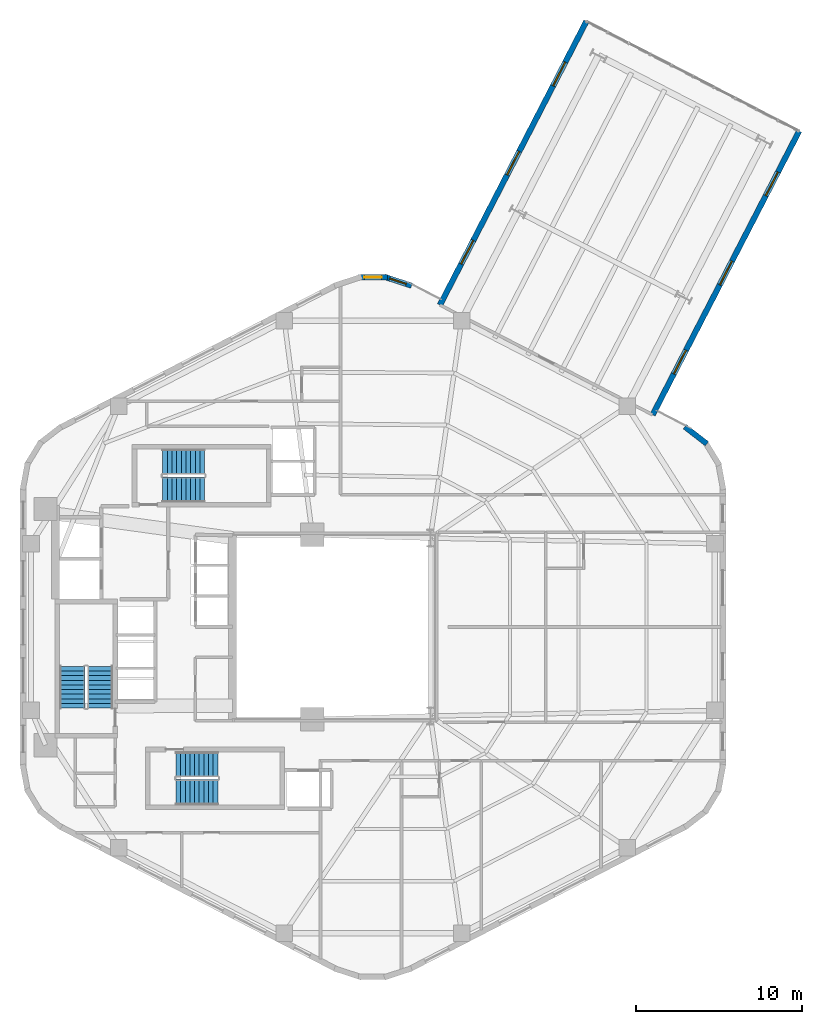
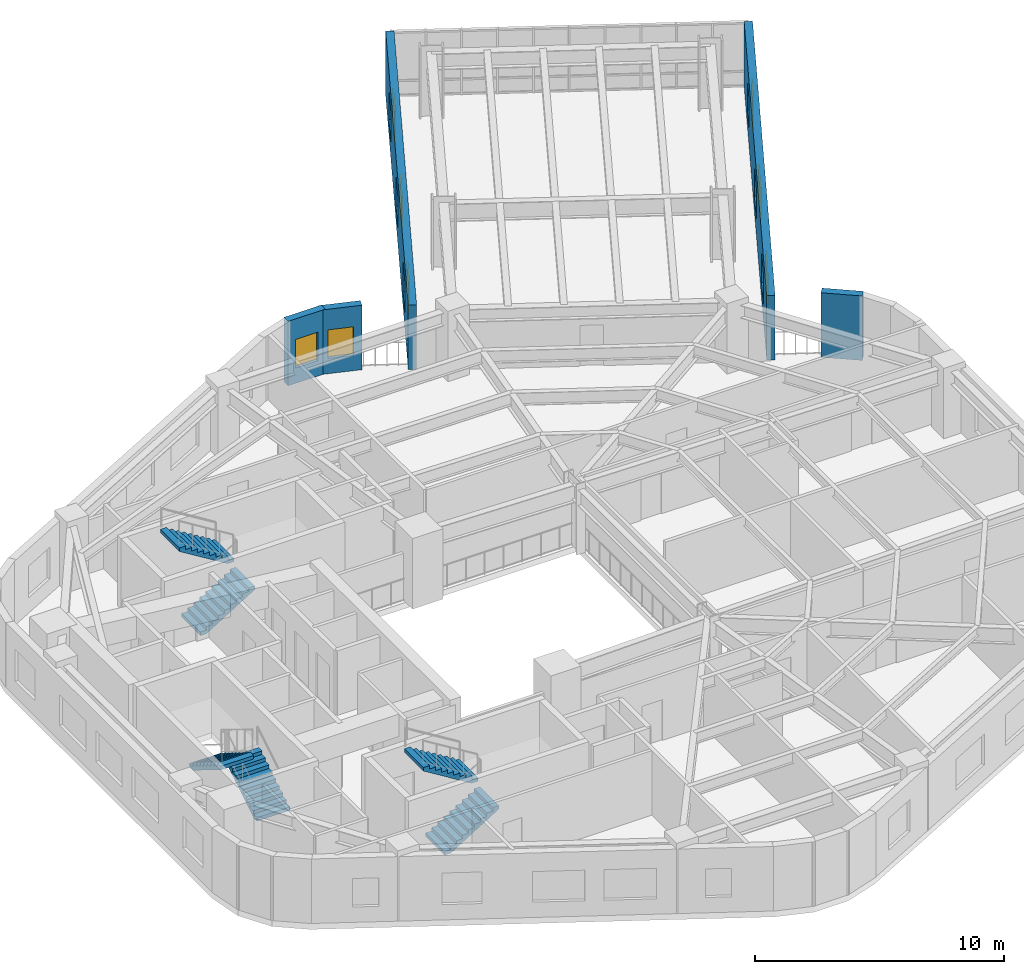
# One storey, part 8 of 10: 8 windows, 6 stair flights, 5 walls, 8 openings, 3 elements without a shape of their own.
"""IFC4 building model written with IfcOpenShell, lengths in metres."""

from ifc_helpers import new_model, si_unit, direction, frame, frame_2d, origin, place, context, subcontext, project, spatial, polyline, rectangle, outline, extrude, material, layer, layer_set, type_object, element, fill, aggregate, save


model = new_model("IFC4")

# Units and contexts
model_context = context("Model", 3, precision=1e-05, world=origin(), true_north=direction((0.0, 1.0)))
body_context = subcontext(model_context, "Body", "Model", "MODEL_VIEW")
ifc_project = project(units=[si_unit("LENGTHUNIT", "METRE"), si_unit("AREAUNIT", "SQUARE_METRE"), si_unit("VOLUMEUNIT", "CUBIC_METRE"), si_unit("PLANEANGLEUNIT", "RADIAN"), si_unit("MASSUNIT", "GRAM", prefix="KILO"), si_unit("THERMODYNAMICTEMPERATUREUNIT", "KELVIN"), si_unit("POWERUNIT", "WATT")], contexts=[model_context])

# Site, building, storey
site_placement = place(None, origin())
site = spatial("IfcSite", under=ifc_project, at=site_placement, CompositionType="ELEMENT")
building_placement = place(site_placement, origin())
building = spatial("IfcBuilding", under=site, at=building_placement, Name="Skarre Station Tower", CompositionType="ELEMENT")
storey_placement = place(building_placement, frame((0.0, 0.0, 111.89990234375)))
storey = spatial("IfcBuildingStorey", under=building, at=storey_placement, Name="L29", CompositionType="ELEMENT", Elevation=111.89990234375)

# Wall, openings, windows
ifc_material_1 = material(Name="Precast concrete C45/55", Category="concrete")
ifc_layer_1 = layer(ifc_material_1, 0.340087890625, Name="Precast concrete C45/55")
ifc_layer_set_1 = layer_set([ifc_layer_1], Name="Precast concrete C45/55")
wall_type_1 = type_object("IfcWallType", Name="Nordic Honed Precast Facet Wall 340", PredefinedType="STANDARD", material=ifc_layer_set_1)
wall_1_placement = place(storey_placement, frame((61.6298828125, 53.827880859375, 0.0), z_axis=(0.0, 0.0, 1.0), x_axis=(-0.458697010696, -0.888592737073, 0.0)))
wall_1 = element("IfcWall", 1, at=wall_1_placement, inside=storey, type_object=wall_type_1, Name="L29 SB-2 Side 1 Precast Wall", PredefinedType="STANDARD", context=body_context, shape_type="SweptSolid", body=[
    extrude(rectangle(XDim=19.19970703125, YDim=0.340087890625, at=frame_2d((9.599853515625, 0.0))), origin(), (0.0, 0.0, 1.0), 3.16015625),
])
opening_1_placement = place(wall_1_placement, frame((2.76708984375, 0.0, 0.75)))
opening_1 = element("IfcOpeningElement", 2, at=opening_1_placement, cuts=wall_1, Name="Opening WN-Z2A", PredefinedType="OPENING", context=body_context, shape_type="SweptSolid", body=[
    extrude(rectangle(XDim=1.60009765625, YDim=1.550048828125, at=frame_2d((0.800048828125, 0.77490234375))), frame((0.0, 0.179931640625, 0.0), z_axis=(0.0, -1.0, 0.0), x_axis=(1.0, 0.0, 0.0)), (0.0, 0.0, 1.0), 0.360107421875),
])
opening_2_placement = place(wall_1_placement, frame((8.800048828125, 0.0, 0.75)))
opening_2 = element("IfcOpeningElement", 3, at=opening_2_placement, cuts=wall_1, Name="Opening WN-Z2A", PredefinedType="OPENING", context=body_context, shape_type="SweptSolid", body=[
    extrude(rectangle(XDim=1.60009765625, YDim=1.550048828125, at=frame_2d((0.800048828125, 0.77490234375))), frame((0.0, 0.179931640625, 0.0), z_axis=(0.0, -1.0, 0.0), x_axis=(1.0, 0.0, 0.0)), (0.0, 0.0, 1.0), 0.360107421875),
])
opening_3_placement = place(wall_1_placement, frame((14.8330078125, 0.0, 0.75)))
opening_3 = element("IfcOpeningElement", 4, at=opening_3_placement, cuts=wall_1, Name="Opening WN-Z2A", PredefinedType="OPENING", context=body_context, shape_type="SweptSolid", body=[
    extrude(rectangle(XDim=1.60009765625, YDim=1.550048828125, at=frame_2d((0.800048828125, 0.77490234375))), frame((0.0, 0.179931640625, 0.0), z_axis=(0.0, -1.0, 0.0), x_axis=(1.0, 0.0, 0.0)), (0.0, 0.0, 1.0), 0.360107421875),
])
ifc_material_2 = material(Name="Low-Iron Triple Glazing with Bronze Anodized Frame", Category="glass")
window_type_1 = type_object("IfcWindowType", Name="Nordic Residential Tall Window 1600x1550", PartitioningType="SINGLE_PANEL", PredefinedType="WINDOW", material=ifc_material_2)
window_1_placement = place(opening_1_placement, origin())
window_1 = element("IfcWindow", 5, at=window_1_placement, inside=storey, type_object=window_type_1, Name="L29 Facade Window WL-SB-2-L29-S1-1", OverallHeight=1.550048828125, OverallWidth=1.60009765625, PartitioningType="SINGLE_PANEL", PredefinedType="WINDOW", context=body_context, shape_type="SweptSolid", body=[
    extrude(rectangle(XDim=1.60009765625, YDim=1.550048828125, at=frame_2d((0.800048828125, 0.77490234375))), frame((0.0, 0.030029296875, 0.0), z_axis=(0.0, -1.0, 0.0), x_axis=(1.0, 0.0, 0.0)), (0.0, 0.0, 1.0), 0.06005859375),
])
fill(opening_1, window_1)
window_2_placement = place(opening_2_placement, origin())
window_2 = element("IfcWindow", 6, at=window_2_placement, inside=storey, type_object=window_type_1, Name="L29 Facade Window WL-SB-2-L29-S1-2", OverallHeight=1.550048828125, OverallWidth=1.60009765625, PartitioningType="SINGLE_PANEL", PredefinedType="WINDOW", context=body_context, shape_type="SweptSolid", body=[
    extrude(rectangle(XDim=1.60009765625, YDim=1.550048828125, at=frame_2d((0.800048828125, 0.77490234375))), frame((0.0, 0.030029296875, 0.0), z_axis=(0.0, -1.0, 0.0), x_axis=(1.0, 0.0, 0.0)), (0.0, 0.0, 1.0), 0.06005859375),
])
fill(opening_2, window_2)
window_3_placement = place(opening_3_placement, origin())
window_3 = element("IfcWindow", 7, at=window_3_placement, inside=storey, type_object=window_type_1, Name="L29 Facade Window WL-SB-2-L29-S1-3", OverallHeight=1.550048828125, OverallWidth=1.60009765625, PartitioningType="SINGLE_PANEL", PredefinedType="WINDOW", context=body_context, shape_type="SweptSolid", body=[
    extrude(rectangle(XDim=1.60009765625, YDim=1.550048828125, at=frame_2d((0.800048828125, 0.77490234375))), frame((0.0, 0.030029296875, 0.0), z_axis=(0.0, -1.0, 0.0), x_axis=(1.0, 0.0, 0.0)), (0.0, 0.0, 1.0), 0.06005859375),
])
fill(opening_3, window_3)

wall_2_placement = place(storey_placement, frame((40.028076171875, 43.3720703125, 0.0), z_axis=(0.0, 0.0, 1.0), x_axis=(0.45865166523, 0.888616143215, 0.0)))
wall_2 = element("IfcWall", 8, at=wall_2_placement, inside=storey, type_object=wall_type_1, Name="L29 SB-2 Side 2 Precast Wall", PredefinedType="STANDARD", context=body_context, shape_type="SweptSolid", body=[
    extrude(rectangle(XDim=19.199462890625, YDim=0.340087890625, at=frame_2d((9.599609375, 0.0))), origin(), (0.0, 0.0, 1.0), 3.16015625),
])
opening_4_placement = place(wall_2_placement, frame((2.76708984375, 0.0, 0.75)))
opening_4 = element("IfcOpeningElement", 9, at=opening_4_placement, cuts=wall_2, Name="Opening WN-Z2A", PredefinedType="OPENING", context=body_context, shape_type="SweptSolid", body=[
    extrude(rectangle(XDim=1.60009765625, YDim=1.550048828125, at=frame_2d((0.800048828125, 0.77490234375))), frame((0.0, 0.179931640625, 0.0), z_axis=(0.0, -1.0, 0.0), x_axis=(1.0, 0.0, 0.0)), (0.0, 0.0, 1.0), 0.360107421875),
])
opening_5_placement = place(wall_2_placement, frame((8.800048828125, 0.0, 0.75)))
opening_5 = element("IfcOpeningElement", 10, at=opening_5_placement, cuts=wall_2, Name="Opening WN-Z2A", PredefinedType="OPENING", context=body_context, shape_type="SweptSolid", body=[
    extrude(rectangle(XDim=1.60009765625, YDim=1.550048828125, at=frame_2d((0.800048828125, 0.77490234375))), frame((0.0, 0.179931640625, 0.0), z_axis=(0.0, -1.0, 0.0), x_axis=(1.0, 0.0, 0.0)), (0.0, 0.0, 1.0), 0.360107421875),
])
opening_6_placement = place(wall_2_placement, frame((14.8330078125, 0.0, 0.75)))
opening_6 = element("IfcOpeningElement", 11, at=opening_6_placement, cuts=wall_2, Name="Opening WN-Z2A", PredefinedType="OPENING", context=body_context, shape_type="SweptSolid", body=[
    extrude(rectangle(XDim=1.60009765625, YDim=1.550048828125, at=frame_2d((0.800048828125, 0.77490234375))), frame((0.0, 0.179931640625, 0.0), z_axis=(0.0, -1.0, 0.0), x_axis=(1.0, 0.0, 0.0)), (0.0, 0.0, 1.0), 0.360107421875),
])
window_4_placement = place(opening_4_placement, origin())
window_4 = element("IfcWindow", 12, at=window_4_placement, inside=storey, type_object=window_type_1, Name="L29 Facade Window WL-SB-2-L29-S2-1", OverallHeight=1.550048828125, OverallWidth=1.60009765625, PartitioningType="SINGLE_PANEL", PredefinedType="WINDOW", context=body_context, shape_type="SweptSolid", body=[
    extrude(rectangle(XDim=1.60009765625, YDim=1.550048828125, at=frame_2d((0.800048828125, 0.77490234375))), frame((0.0, 0.030029296875, 0.0), z_axis=(0.0, -1.0, 0.0), x_axis=(1.0, 0.0, 0.0)), (0.0, 0.0, 1.0), 0.06005859375),
])
fill(opening_4, window_4)
window_5_placement = place(opening_5_placement, origin())
window_5 = element("IfcWindow", 13, at=window_5_placement, inside=storey, type_object=window_type_1, Name="L29 Facade Window WL-SB-2-L29-S2-2", OverallHeight=1.550048828125, OverallWidth=1.60009765625, PartitioningType="SINGLE_PANEL", PredefinedType="WINDOW", context=body_context, shape_type="SweptSolid", body=[
    extrude(rectangle(XDim=1.60009765625, YDim=1.550048828125, at=frame_2d((0.800048828125, 0.77490234375))), frame((0.0, 0.030029296875, 0.0), z_axis=(0.0, -1.0, 0.0), x_axis=(1.0, 0.0, 0.0)), (0.0, 0.0, 1.0), 0.06005859375),
])
fill(opening_5, window_5)
window_6_placement = place(opening_6_placement, origin())
window_6 = element("IfcWindow", 14, at=window_6_placement, inside=storey, type_object=window_type_1, Name="L29 Facade Window WL-SB-2-L29-S2-3", OverallHeight=1.550048828125, OverallWidth=1.60009765625, PartitioningType="SINGLE_PANEL", PredefinedType="WINDOW", context=body_context, shape_type="SweptSolid", body=[
    extrude(rectangle(XDim=1.60009765625, YDim=1.550048828125, at=frame_2d((0.800048828125, 0.77490234375))), frame((0.0, 0.030029296875, 0.0), z_axis=(0.0, -1.0, 0.0), x_axis=(1.0, 0.0, 0.0)), (0.0, 0.0, 1.0), 0.06005859375),
])
fill(opening_6, window_6)

# Wall
ifc_layer_2 = layer(ifc_material_1, 0.330078125, Name="Precast concrete C45/55")
ifc_layer_set_2 = layer_set([ifc_layer_2], Name="Precast concrete C45/55")
wall_type_2 = type_object("IfcWallType", Name="Nordic Rounded Corner Precast Wall 330", PredefinedType="STANDARD", material=ifc_layer_set_2)
wall_3_placement = place(storey_placement, frame((54.757080078125, 36.050048828125, 0.0), z_axis=(0.0, 0.0, 1.0), x_axis=(0.790621329885, -0.612305408053, 0.0)))
element("IfcWall", 15, at=wall_3_placement, inside=storey, type_object=wall_type_2, Name="L29 Rounded Corner Precast Wall F0-1", PredefinedType="STANDARD", context=body_context, shape_type="SweptSolid", body=[
    extrude(rectangle(XDim=1.67578125, YDim=0.330078125, at=frame_2d((0.837890625, 0.0))), origin(), (0.0, 0.0, 1.0), 3.16015625),
])

# Wall, opening, window
wall_4_placement = place(storey_placement, frame((35.138916015625, 45.041015625, 0.0), z_axis=(0.0, 0.0, 1.0), x_axis=(1.0, 0.0, 0.0)))
wall_4 = element("IfcWall", 16, at=wall_4_placement, inside=storey, type_object=wall_type_2, Name="L29 Rounded Corner Precast Wall F1-2", PredefinedType="STANDARD", context=body_context, shape_type="SweptSolid", body=[
    extrude(rectangle(XDim=1.72216796875, YDim=0.330078125, at=frame_2d((0.861083984375, 0.0))), origin(), (0.0, 0.0, 1.0), 3.16015625),
])
opening_7_placement = place(wall_4_placement, frame((0.3359375, 0.0, 0.75)))
opening_7 = element("IfcOpeningElement", 17, at=opening_7_placement, cuts=wall_4, Name="Opening WN-SLT", PredefinedType="OPENING", context=body_context, shape_type="SweptSolid", body=[
    extrude(rectangle(XDim=1.050048828125, YDim=1.39990234375, at=frame_2d((0.52490234375, 0.699951171875))), frame((0.0, 0.175048828125, 0.0), z_axis=(0.0, -1.0, 0.0), x_axis=(1.0, 0.0, 0.0)), (0.0, 0.0, 1.0), 0.35009765625),
])
window_type_2 = type_object("IfcWindowType", Name="Nordic Corner Slot Window 1050x1400", PartitioningType="SINGLE_PANEL", PredefinedType="WINDOW", material=ifc_material_2)
window_7_placement = place(opening_7_placement, origin())
window_7 = element("IfcWindow", 18, at=window_7_placement, inside=storey, type_object=window_type_2, Name="L29 Apex Corner Slot Window F1-2", OverallHeight=1.39990234375, OverallWidth=1.050048828125, PartitioningType="SINGLE_PANEL", PredefinedType="WINDOW", context=body_context, shape_type="SweptSolid", body=[
    extrude(rectangle(XDim=1.050048828125, YDim=1.39990234375, at=frame_2d((0.52490234375, 0.699951171875))), frame((0.0, 0.030029296875, 0.0), z_axis=(0.0, -1.0, 0.0), x_axis=(1.0, 0.0, 0.0)), (0.0, 0.0, 1.0), 0.06005859375),
])
fill(opening_7, window_7)

wall_5_placement = place(storey_placement, frame((36.68310546875, 45.070068359375, 0.0), z_axis=(0.0, 0.0, 1.0), x_axis=(0.949937416267, -0.312440242569, 0.0)))
wall_5 = element("IfcWall", 19, at=wall_5_placement, inside=storey, type_object=wall_type_2, Name="L29 Rounded Corner Precast Wall F1-3", PredefinedType="STANDARD", context=body_context, shape_type="SweptSolid", body=[
    extrude(rectangle(XDim=1.72216796875, YDim=0.330078125, at=frame_2d((0.861083984375, 0.0))), origin(), (0.0, 0.0, 1.0), 3.16015625),
])
opening_8_placement = place(wall_5_placement, frame((0.3359375, 0.0, 0.75)))
opening_8 = element("IfcOpeningElement", 20, at=opening_8_placement, cuts=wall_5, Name="Opening WN-SLT", PredefinedType="OPENING", context=body_context, shape_type="SweptSolid", body=[
    extrude(rectangle(XDim=1.050048828125, YDim=1.39990234375, at=frame_2d((0.52490234375, 0.699951171875))), frame((0.0, 0.175048828125, 0.0), z_axis=(0.0, -1.0, 0.0), x_axis=(1.0, 0.0, 0.0)), (0.0, 0.0, 1.0), 0.35009765625),
])
window_8_placement = place(opening_8_placement, origin())
window_8 = element("IfcWindow", 21, at=window_8_placement, inside=storey, type_object=window_type_2, Name="L29 Apex Corner Slot Window F1-3", OverallHeight=1.39990234375, OverallWidth=1.050048828125, PartitioningType="SINGLE_PANEL", PredefinedType="WINDOW", context=body_context, shape_type="SweptSolid", body=[
    extrude(rectangle(XDim=1.050048828125, YDim=1.39990234375, at=frame_2d((0.52490234375, 0.699951171875))), frame((0.0, 0.030029296875, 0.0), z_axis=(0.0, -1.0, 0.0), x_axis=(1.0, 0.0, 0.0)), (0.0, 0.0, 1.0), 0.06005859375),
])
fill(opening_8, window_8)

# Stair, stair flights
ifc_material_3 = material(Name="Concrete C40/50", Category="concrete")
stair_type_1 = type_object("IfcStairType", Name="Reinforced Concrete Exit Stair ST-1", PredefinedType="HALF_TURN_STAIR", material=ifc_material_3)
stair_1_placement = place(storey_placement, origin())
stair_1 = element("IfcStair", 22, at=stair_1_placement, inside=storey, type_object=stair_type_1, Name="L29 Core Exit Stair ST-1", PredefinedType="HALF_TURN_STAIR")
stair_flight_type_1 = type_object("IfcStairFlightType", Name="Reinforced Concrete Stair Flight ST-1", PredefinedType="STRAIGHT", material=ifc_material_3)
stair_flight_1_placement = place(storey_placement, frame((19.590087890625, 19.1201171875, 0.0), z_axis=(0.0, 0.0, 1.0), x_axis=(0.0, 1.0, 0.0)))
stair_flight_1 = element("IfcStairFlight", 23, at=stair_flight_1_placement, type_object=stair_flight_type_1, Name="ST-1 flight 1", NumberOfRisers=10, NumberOfTreads=9, PredefinedType="STRAIGHT", RiserHeight=0.1725, TreadLength=0.28, context=body_context, shape_type="SweptSolid", body=[
    extrude(outline(polyline([(0.0, 0.0), (0.0, 0.172607421875), (0.280029296875, 0.172607421875), (0.280029296875, 0.344970703125), (0.56005859375, 0.344970703125), (0.56005859375, 0.517578125), (0.840087890625, 0.517578125), (0.840087890625, 0.68994140625), (1.1201171875, 0.68994140625), (1.1201171875, 0.862548828125), (1.39990234375, 0.862548828125), (1.39990234375, 1.034912109375), (1.679931640625, 1.034912109375), (1.679931640625, 1.20751953125), (1.9599609375, 1.20751953125), (1.9599609375, 1.3798828125), (2.239990234375, 1.3798828125), (2.239990234375, 1.552490234375), (2.52001953125, 1.552490234375), (2.52001953125, 1.72509765625), (2.52001953125, 1.37646484375), (0.285888671875, 0.0), (0.0, 0.0)])), frame((0.0, 0.760009765625, 0.0), z_axis=(0.0, -1.0, 0.0), x_axis=(1.0, 0.0, 0.0)), (0.0, 0.0, 1.0), 1.52001953125),
])
stair_flight_2_placement = place(storey_placement, frame((17.909912109375, 21.639892578125, 1.72509765625), z_axis=(0.0, 0.0, 1.0), x_axis=(0.0, -1.0, 0.0)))
stair_flight_2 = element("IfcStairFlight", 24, at=stair_flight_2_placement, type_object=stair_flight_type_1, Name="ST-1 flight 2", NumberOfRisers=10, NumberOfTreads=9, PredefinedType="STRAIGHT", RiserHeight=0.1725, TreadLength=0.28, context=body_context, shape_type="SweptSolid", body=[
    extrude(outline(polyline([(0.0, 0.0), (0.0, 0.172607421875), (0.280029296875, 0.172607421875), (0.280029296875, 0.344970703125), (0.56005859375, 0.344970703125), (0.56005859375, 0.517578125), (0.840087890625, 0.517578125), (0.840087890625, 0.68994140625), (1.1201171875, 0.68994140625), (1.1201171875, 0.862548828125), (1.39990234375, 0.862548828125), (1.39990234375, 1.034912109375), (1.679931640625, 1.034912109375), (1.679931640625, 1.20751953125), (1.9599609375, 1.20751953125), (1.9599609375, 1.3798828125), (2.239990234375, 1.3798828125), (2.239990234375, 1.552490234375), (2.52001953125, 1.552490234375), (2.52001953125, 1.72509765625), (2.52001953125, 1.37646484375), (0.285888671875, 0.0), (0.0, 0.0)])), frame((0.0, 0.760009765625, 0.0), z_axis=(0.0, -1.0, 0.0), x_axis=(1.0, 0.0, 0.0)), (0.0, 0.0, 1.0), 1.52001953125),
])
aggregate(stair_1, [stair_flight_1, stair_flight_2])

stair_type_2 = type_object("IfcStairType", Name="Reinforced Concrete Exit Stair ST-2", PredefinedType="HALF_TURN_STAIR", material=ifc_material_3)
stair_2_placement = place(storey_placement, origin())
stair_2 = element("IfcStair", 25, at=stair_2_placement, inside=storey, type_object=stair_type_2, Name="L29 Core Exit Stair ST-2", PredefinedType="HALF_TURN_STAIR")
stair_flight_type_2 = type_object("IfcStairFlightType", Name="Reinforced Concrete Stair Flight ST-2", PredefinedType="STRAIGHT", material=ifc_material_3)
stair_flight_3_placement = place(storey_placement, frame((24.14990234375, 14.06005859375, 0.0), z_axis=(0.0, 0.0, 1.0), x_axis=(1.0, 0.0, 0.0)))
stair_flight_3 = element("IfcStairFlight", 26, at=stair_flight_3_placement, type_object=stair_flight_type_2, Name="ST-2 flight 1", NumberOfRisers=10, NumberOfTreads=9, PredefinedType="STRAIGHT", RiserHeight=0.1725, TreadLength=0.28, context=body_context, shape_type="SweptSolid", body=[
    extrude(outline(polyline([(0.0, 0.0), (0.0, 0.172607421875), (0.280029296875, 0.172607421875), (0.280029296875, 0.344970703125), (0.56005859375, 0.344970703125), (0.56005859375, 0.517578125), (0.840087890625, 0.517578125), (0.840087890625, 0.68994140625), (1.1201171875, 0.68994140625), (1.1201171875, 0.862548828125), (1.39990234375, 0.862548828125), (1.39990234375, 1.034912109375), (1.679931640625, 1.034912109375), (1.679931640625, 1.20751953125), (1.9599609375, 1.20751953125), (1.9599609375, 1.3798828125), (2.239990234375, 1.3798828125), (2.239990234375, 1.552490234375), (2.52001953125, 1.552490234375), (2.52001953125, 1.72509765625), (2.52001953125, 1.37646484375), (0.285888671875, 0.0), (0.0, 0.0)])), frame((0.0, 0.760009765625, 0.0), z_axis=(0.0, -1.0, 0.0), x_axis=(1.0, 0.0, 0.0)), (0.0, 0.0, 1.0), 1.52001953125),
])
stair_flight_4_placement = place(storey_placement, frame((26.669921875, 15.739990234375, 1.72509765625), z_axis=(0.0, 0.0, 1.0), x_axis=(-1.0, 0.0, 0.0)))
stair_flight_4 = element("IfcStairFlight", 27, at=stair_flight_4_placement, type_object=stair_flight_type_2, Name="ST-2 flight 2", NumberOfRisers=10, NumberOfTreads=9, PredefinedType="STRAIGHT", RiserHeight=0.1725, TreadLength=0.28, context=body_context, shape_type="SweptSolid", body=[
    extrude(outline(polyline([(0.0, 0.0), (0.0, 0.172607421875), (0.280029296875, 0.172607421875), (0.280029296875, 0.344970703125), (0.56005859375, 0.344970703125), (0.56005859375, 0.517578125), (0.840087890625, 0.517578125), (0.840087890625, 0.68994140625), (1.1201171875, 0.68994140625), (1.1201171875, 0.862548828125), (1.39990234375, 0.862548828125), (1.39990234375, 1.034912109375), (1.679931640625, 1.034912109375), (1.679931640625, 1.20751953125), (1.9599609375, 1.20751953125), (1.9599609375, 1.3798828125), (2.239990234375, 1.3798828125), (2.239990234375, 1.552490234375), (2.52001953125, 1.552490234375), (2.52001953125, 1.72509765625), (2.52001953125, 1.37646484375), (0.285888671875, 0.0), (0.0, 0.0)])), frame((0.0, 0.760009765625, 0.0), z_axis=(0.0, -1.0, 0.0), x_axis=(1.0, 0.0, 0.0)), (0.0, 0.0, 1.0), 1.52001953125),
])
aggregate(stair_2, [stair_flight_3, stair_flight_4])

stair_type_3 = type_object("IfcStairType", Name="Reinforced Concrete Exit Stair ST-3", PredefinedType="HALF_TURN_STAIR", material=ifc_material_3)
stair_3_placement = place(storey_placement, origin())
stair_3 = element("IfcStair", 28, at=stair_3_placement, inside=storey, type_object=stair_type_3, Name="L29 Core Exit Stair ST-3", PredefinedType="HALF_TURN_STAIR")
stair_flight_type_3 = type_object("IfcStairFlightType", Name="Reinforced Concrete Stair Flight ST-3", PredefinedType="STRAIGHT", material=ifc_material_3)
stair_flight_5_placement = place(storey_placement, frame((23.35009765625, 32.260009765625, 0.0), z_axis=(0.0, 0.0, 1.0), x_axis=(1.0, 0.0, 0.0)))
stair_flight_5 = element("IfcStairFlight", 29, at=stair_flight_5_placement, type_object=stair_flight_type_3, Name="ST-3 flight 1", NumberOfRisers=10, NumberOfTreads=9, PredefinedType="STRAIGHT", RiserHeight=0.1725, TreadLength=0.28, context=body_context, shape_type="SweptSolid", body=[
    extrude(outline(polyline([(0.0, 0.0), (0.0, 0.172607421875), (0.280029296875, 0.172607421875), (0.280029296875, 0.344970703125), (0.56005859375, 0.344970703125), (0.56005859375, 0.517578125), (0.840087890625, 0.517578125), (0.840087890625, 0.68994140625), (1.1201171875, 0.68994140625), (1.1201171875, 0.862548828125), (1.39990234375, 0.862548828125), (1.39990234375, 1.034912109375), (1.679931640625, 1.034912109375), (1.679931640625, 1.20751953125), (1.9599609375, 1.20751953125), (1.9599609375, 1.3798828125), (2.239990234375, 1.3798828125), (2.239990234375, 1.552490234375), (2.52001953125, 1.552490234375), (2.52001953125, 1.72509765625), (2.52001953125, 1.37646484375), (0.285888671875, 0.0), (0.0, 0.0)])), frame((0.0, 0.760009765625, 0.0), z_axis=(0.0, -1.0, 0.0), x_axis=(1.0, 0.0, 0.0)), (0.0, 0.0, 1.0), 1.52001953125),
])
stair_flight_6_placement = place(storey_placement, frame((25.8701171875, 33.93994140625, 1.72509765625), z_axis=(0.0, 0.0, 1.0), x_axis=(-1.0, 0.0, 0.0)))
stair_flight_6 = element("IfcStairFlight", 30, at=stair_flight_6_placement, type_object=stair_flight_type_3, Name="ST-3 flight 2", NumberOfRisers=10, NumberOfTreads=9, PredefinedType="STRAIGHT", RiserHeight=0.1725, TreadLength=0.28, context=body_context, shape_type="SweptSolid", body=[
    extrude(outline(polyline([(0.0, 0.0), (0.0, 0.172607421875), (0.280029296875, 0.172607421875), (0.280029296875, 0.344970703125), (0.56005859375, 0.344970703125), (0.56005859375, 0.517578125), (0.840087890625, 0.517578125), (0.840087890625, 0.68994140625), (1.1201171875, 0.68994140625), (1.1201171875, 0.862548828125), (1.39990234375, 0.862548828125), (1.39990234375, 1.034912109375), (1.679931640625, 1.034912109375), (1.679931640625, 1.20751953125), (1.9599609375, 1.20751953125), (1.9599609375, 1.3798828125), (2.239990234375, 1.3798828125), (2.239990234375, 1.552490234375), (2.52001953125, 1.552490234375), (2.52001953125, 1.72509765625), (2.52001953125, 1.37646484375), (0.285888671875, 0.0), (0.0, 0.0)])), frame((0.0, 0.760009765625, 0.0), z_axis=(0.0, -1.0, 0.0), x_axis=(1.0, 0.0, 0.0)), (0.0, 0.0, 1.0), 1.52001953125),
])
aggregate(stair_3, [stair_flight_5, stair_flight_6])

save(model, "model.ifc")
